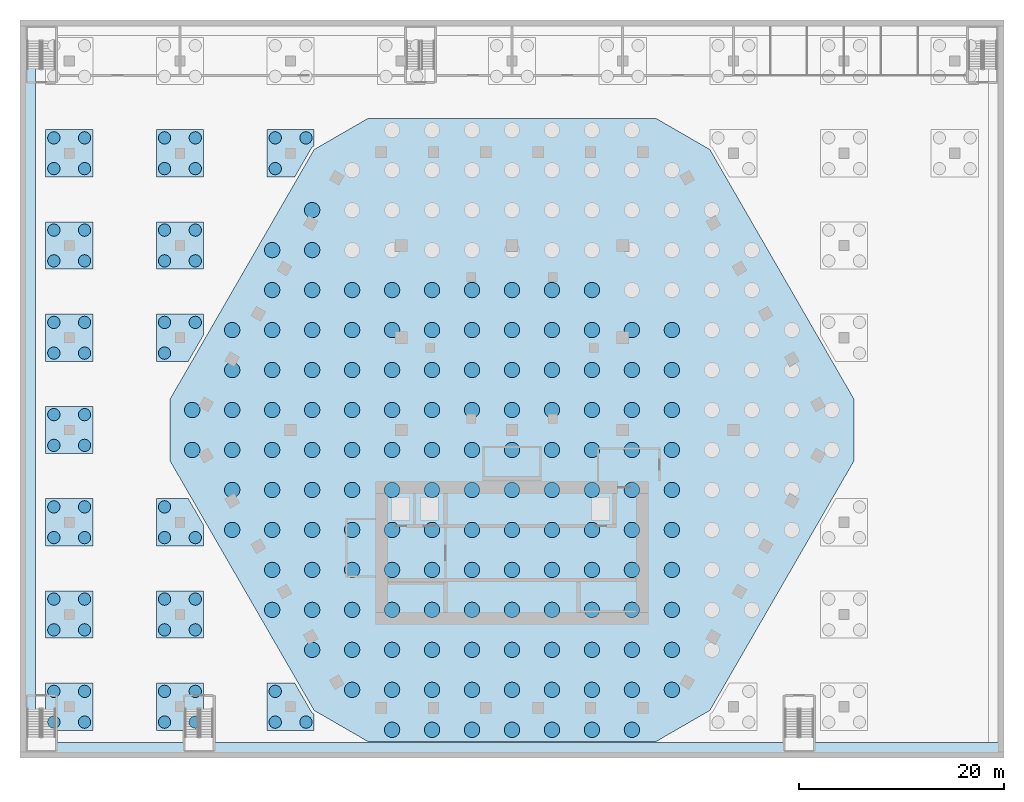
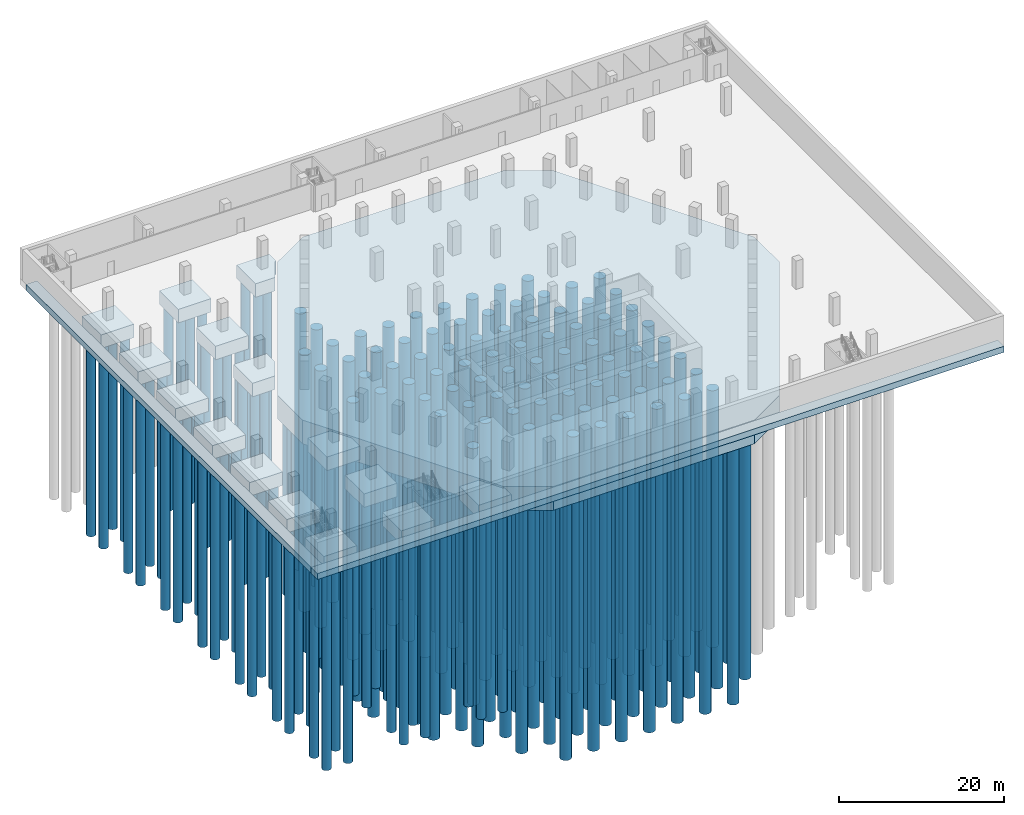
# One storey, part 1 of 21: 190 piles, 18 footings.
"""IFC4 building model written with IfcOpenShell, lengths in metres."""

from ifc_helpers import new_model, si_unit, direction, frame, origin, origin_2d, place, context, subcontext, project, spatial, polyline, circle, outline, extrude, material, material_profile, profile_set, type_object, element, save


model = new_model("IFC4")

# Units and contexts
model_context = context("Model", 3, precision=1e-05, world=origin(), true_north=direction((0.0, 1.0)))
body_context = subcontext(model_context, "Body", "Model", "MODEL_VIEW")
ifc_project = project(units=[si_unit("LENGTHUNIT", "METRE"), si_unit("AREAUNIT", "SQUARE_METRE"), si_unit("VOLUMEUNIT", "CUBIC_METRE"), si_unit("PLANEANGLEUNIT", "RADIAN"), si_unit("MASSUNIT", "GRAM", prefix="KILO")], contexts=[model_context])

# Site, building, storey
site_placement = place(None, origin())
site = spatial("IfcSite", under=ifc_project, at=site_placement, CompositionType="ELEMENT")
building_placement = place(site_placement, origin())
building = spatial("IfcBuilding", under=site, at=building_placement, Name="Beryl Residences", CompositionType="ELEMENT")
storey_placement = place(building_placement, frame((0.0, 0.0, -8.39990234375)))
storey = spatial("IfcBuildingStorey", under=building, at=storey_placement, Name="B2", CompositionType="ELEMENT", Elevation=-8.39990234375)

# Piles
ifc_material_1 = material(Name="Concrete C40/50", Category="concrete")
ifc_material_profile_1 = material_profile(ifc_material_1, circle(Radius=0.75, at=origin_2d()))
ifc_profile_set_1 = profile_set([ifc_material_profile_1], Name="Concrete C40/50")
pile_type_1 = type_object("IfcPileType", Name="BP1 bored pile 1500 mm C40/50", PredefinedType="BORED", material=ifc_profile_set_1)
for number, where, z_axis, x_axis, name in (
    (1, (-11.699951171875, -29.25, -3.85009765625), (0.0, 0.0, -1.0), (1.0, 0.0, 0.0), "BP1 pile R001"),
    (2, (-7.800048828125, -29.25, -3.85009765625), (0.0, 0.0, -1.0), (1.0, 0.0, 0.0), "BP1 pile R002"),
    (3, (-3.89990234375, -29.25, -3.85009765625), (0.0, 0.0, -1.0), (1.0, 0.0, 0.0), "BP1 pile R003"),
    (4, (0.0, -29.25, -3.85009765625), (0.0, 0.0, -1.0), (1.0, 0.0, 0.0), "BP1 pile R004"),
    (5, (3.89990234375, -29.25, -3.85009765625), (0.0, 0.0, -1.0), (1.0, 0.0, 0.0), "BP1 pile R005"),
    (6, (7.800048828125, -29.25, -3.85009765625), (0.0, 0.0, -1.0), (1.0, 0.0, 0.0), "BP1 pile R006"),
    (7, (11.699951171875, -29.25, -3.85009765625), (0.0, 0.0, -1.0), (1.0, 0.0, 0.0), "BP1 pile R007"),
    (8, (-15.60009765625, -25.35009765625, -3.85009765625), (0.0, 0.0, -1.0), (1.0, 0.0, 0.0), "BP1 pile R008"),
    (9, (-11.699951171875, -25.35009765625, -3.85009765625), (0.0, 0.0, -1.0), (1.0, 0.0, 0.0), "BP1 pile R009"),
    (10, (-7.800048828125, -25.35009765625, -3.85009765625), (0.0, 0.0, -1.0), (1.0, 0.0, 0.0), "BP1 pile R010"),
    (11, (-3.89990234375, -25.35009765625, -3.85009765625), (0.0, 0.0, -1.0), (1.0, 0.0, 0.0), "BP1 pile R011"),
    (12, (0.0, -25.35009765625, -3.85009765625), (0.0, 0.0, -1.0), (1.0, 0.0, 0.0), "BP1 pile R012"),
    (13, (3.89990234375, -25.35009765625, -3.85009765625), (0.0, 0.0, -1.0), (1.0, 0.0, 0.0), "BP1 pile R013"),
    (14, (7.800048828125, -25.35009765625, -3.85009765625), (0.0, 0.0, -1.0), (1.0, 0.0, 0.0), "BP1 pile R014"),
    (15, (11.699951171875, -25.35009765625, -3.85009765625), (0.0, 0.0, -1.0), (1.0, 0.0, 0.0), "BP1 pile R015"),
    (16, (15.60009765625, -25.35009765625, -3.85009765625), (0.0, 0.0, -1.0), (1.0, 0.0, 0.0), "BP1 pile R016"),
    (17, (-19.5, -21.449951171875, -3.85009765625), (0.0, 0.0, -1.0), (1.0, 0.0, 0.0), "BP1 pile R017"),
    (18, (-15.60009765625, -21.449951171875, -3.85009765625), (0.0, 0.0, -1.0), (1.0, 0.0, 0.0), "BP1 pile R018"),
    (19, (-11.699951171875, -21.449951171875, -3.85009765625), (0.0, 0.0, -1.0), (1.0, 0.0, 0.0), "BP1 pile R019"),
    (20, (-7.800048828125, -21.449951171875, -3.85009765625), (0.0, 0.0, -1.0), (1.0, 0.0, 0.0), "BP1 pile R020"),
    (21, (-3.89990234375, -21.449951171875, -3.85009765625), (0.0, 0.0, -1.0), (1.0, 0.0, 0.0), "BP1 pile R021"),
    (22, (0.0, -21.449951171875, -3.85009765625), (0.0, 0.0, -1.0), (1.0, 0.0, 0.0), "BP1 pile R022"),
    (23, (3.89990234375, -21.449951171875, -3.85009765625), (0.0, 0.0, -1.0), (1.0, 0.0, 0.0), "BP1 pile R023"),
    (24, (7.800048828125, -21.449951171875, -3.85009765625), (0.0, 0.0, -1.0), (1.0, 0.0, 0.0), "BP1 pile R024"),
    (25, (11.699951171875, -21.449951171875, -3.85009765625), (0.0, 0.0, -1.0), (1.0, 0.0, 0.0), "BP1 pile R025"),
    (26, (15.60009765625, -21.449951171875, -3.85009765625), (0.0, 0.0, -1.0), (1.0, 0.0, 0.0), "BP1 pile R026"),
    (27, (-23.39990234375, -17.550048828125, -3.85009765625), (0.0, 0.0, -1.0), (1.0, 0.0, 0.0), "BP1 pile R028"),
    (28, (-19.5, -17.550048828125, -3.85009765625), (0.0, 0.0, -1.0), (1.0, 0.0, 0.0), "BP1 pile R029"),
    (29, (-15.60009765625, -17.550048828125, -3.85009765625), (0.0, 0.0, -1.0), (1.0, 0.0, 0.0), "BP1 pile R030"),
    (30, (-11.699951171875, -17.550048828125, -3.85009765625), (0.0, 0.0, -1.0), (1.0, 0.0, 0.0), "BP1 pile R031"),
    (31, (-7.800048828125, -17.550048828125, -3.85009765625), (0.0, 0.0, -1.0), (1.0, 0.0, 0.0), "BP1 pile R032"),
    (32, (-3.89990234375, -17.550048828125, -3.85009765625), (0.0, 0.0, -1.0), (1.0, 0.0, 0.0), "BP1 pile R033"),
    (33, (0.0, -17.550048828125, -3.85009765625), (0.0, 0.0, -1.0), (1.0, 0.0, 0.0), "BP1 pile R034"),
    (34, (3.89990234375, -17.550048828125, -3.85009765625), (0.0, 0.0, -1.0), (1.0, 0.0, 0.0), "BP1 pile R035"),
    (35, (7.800048828125, -17.550048828125, -3.85009765625), (0.0, 0.0, -1.0), (1.0, 0.0, 0.0), "BP1 pile R036"),
    (36, (11.699951171875, -17.550048828125, -3.85009765625), (0.0, 0.0, -1.0), (1.0, 0.0, 0.0), "BP1 pile R037"),
    (37, (15.60009765625, -17.550048828125, -3.85009765625), (0.0, 0.0, -1.0), (1.0, 0.0, 0.0), "BP1 pile R038"),
    (38, (-23.39990234375, -13.64990234375, -3.85009765625), (0.0, 0.0, -1.0), (1.0, 0.0, 0.0), "BP1 pile R041"),
    (39, (-19.5, -13.64990234375, -3.85009765625), (0.0, 0.0, -1.0), (1.0, 0.0, 0.0), "BP1 pile R042"),
    (40, (-15.60009765625, -13.64990234375, -3.85009765625), (0.0, 0.0, -1.0), (1.0, 0.0, 0.0), "BP1 pile R043"),
    (41, (-11.699951171875, -13.64990234375, -3.85009765625), (0.0, 0.0, -1.0), (1.0, 0.0, 0.0), "BP1 pile R044"),
    (42, (-7.800048828125, -13.64990234375, -3.85009765625), (0.0, 0.0, -1.0), (1.0, 0.0, 0.0), "BP1 pile R045"),
    (43, (-3.89990234375, -13.64990234375, -3.85009765625), (0.0, 0.0, -1.0), (1.0, 0.0, 0.0), "BP1 pile R046"),
    (44, (0.0, -13.64990234375, -3.85009765625), (0.0, 0.0, -1.0), (1.0, 0.0, 0.0), "BP1 pile R047"),
    (45, (3.89990234375, -13.64990234375, -3.85009765625), (0.0, 0.0, -1.0), (1.0, 0.0, 0.0), "BP1 pile R048"),
    (46, (7.800048828125, -13.64990234375, -3.85009765625), (0.0, 0.0, -1.0), (1.0, 0.0, 0.0), "BP1 pile R049"),
    (47, (11.699951171875, -13.64990234375, -3.85009765625), (0.0, 0.0, -1.0), (1.0, 0.0, 0.0), "BP1 pile R050"),
    (48, (15.60009765625, -13.64990234375, -3.85009765625), (0.0, 0.0, -1.0), (1.0, 0.0, 0.0), "BP1 pile R051"),
    (49, (-27.300048828125, -9.75, -3.85009765625), (0.0, 0.0, -1.0), (1.0, 0.0, 0.0), "BP1 pile R054"),
    (50, (-23.39990234375, -9.75, -3.85009765625), (0.0, 0.0, -1.0), (1.0, 0.0, 0.0), "BP1 pile R055"),
    (51, (-19.5, -9.75, -3.85009765625), (0.0, 0.0, -1.0), (1.0, 0.0, 0.0), "BP1 pile R056"),
    (52, (-15.60009765625, -9.75, -3.85009765625), (0.0, 0.0, -1.0), (1.0, 0.0, 0.0), "BP1 pile R057"),
    (53, (-11.699951171875, -9.75, -3.85009765625), (0.0, 0.0, -1.0), (1.0, 0.0, 0.0), "BP1 pile R058"),
    (54, (-7.800048828125, -9.75, -3.85009765625), (0.0, 0.0, -1.0), (1.0, 0.0, 0.0), "BP1 pile R059"),
    (55, (-3.89990234375, -9.75, -3.85009765625), (0.0, 0.0, -1.0), (1.0, 0.0, 0.0), "BP1 pile R060"),
    (56, (0.0, -9.75, -3.85009765625), (0.0, 0.0, -1.0), (1.0, 0.0, 0.0), "BP1 pile R061"),
    (57, (3.89990234375, -9.75, -3.85009765625), (0.0, 0.0, -1.0), (1.0, 0.0, 0.0), "BP1 pile R062"),
    (58, (7.800048828125, -9.75, -3.85009765625), (0.0, 0.0, -1.0), (1.0, 0.0, 0.0), "BP1 pile R063"),
    (59, (11.699951171875, -9.75, -3.85009765625), (0.0, 0.0, -1.0), (1.0, 0.0, 0.0), "BP1 pile R064"),
    (60, (15.60009765625, -9.75, -3.85009765625), (0.0, 0.0, -1.0), (1.0, 0.0, 0.0), "BP1 pile R065"),
    (61, (-27.300048828125, -5.85009765625, -3.85009765625), (0.0, 0.0, -1.0), (1.0, 0.0, 0.0), "BP1 pile R069"),
    (62, (-23.39990234375, -5.85009765625, -3.85009765625), (0.0, 0.0, -1.0), (1.0, 0.0, 0.0), "BP1 pile R070"),
    (63, (-19.5, -5.85009765625, -3.85009765625), (0.0, 0.0, -1.0), (1.0, 0.0, 0.0), "BP1 pile R071"),
    (64, (-15.60009765625, -5.85009765625, -3.85009765625), (0.0, 0.0, -1.0), (1.0, 0.0, 0.0), "BP1 pile R072"),
    (65, (-11.699951171875, -5.85009765625, -3.85009765625), (0.0, 0.0, -1.0), (1.0, 0.0, 0.0), "BP1 pile R073"),
    (66, (-7.800048828125, -5.85009765625, -3.85009765625), (0.0, 0.0, -1.0), (1.0, 0.0, 0.0), "BP1 pile R074"),
    (67, (-3.89990234375, -5.85009765625, -3.85009765625), (0.0, 0.0, -1.0), (1.0, 0.0, 0.0), "BP1 pile R075"),
    (68, (0.0, -5.85009765625, -3.85009765625), (0.0, 0.0, -1.0), (1.0, 0.0, 0.0), "BP1 pile R076"),
    (69, (3.89990234375, -5.85009765625, -3.85009765625), (0.0, 0.0, -1.0), (1.0, 0.0, 0.0), "BP1 pile R077"),
    (70, (7.800048828125, -5.85009765625, -3.85009765625), (0.0, 0.0, -1.0), (1.0, 0.0, 0.0), "BP1 pile R078"),
    (71, (11.699951171875, -5.85009765625, -3.85009765625), (0.0, 0.0, -1.0), (1.0, 0.0, 0.0), "BP1 pile R079"),
    (72, (15.60009765625, -5.85009765625, -3.85009765625), (0.0, 0.0, -1.0), (1.0, 0.0, 0.0), "BP1 pile R080"),
    (73, (-31.199951171875, -1.949951171875, -3.85009765625), (0.0, 0.0, -1.0), (1.0, 0.0, 0.0), "BP1 pile R084"),
    (74, (-27.300048828125, -1.949951171875, -3.85009765625), (0.0, 0.0, -1.0), (1.0, 0.0, 0.0), "BP1 pile R085"),
    (75, (-23.39990234375, -1.949951171875, -3.85009765625), (0.0, 0.0, -1.0), (1.0, 0.0, 0.0), "BP1 pile R086"),
    (76, (-19.5, -1.949951171875, -3.85009765625), (0.0, 0.0, -1.0), (1.0, 0.0, 0.0), "BP1 pile R087"),
    (77, (-15.60009765625, -1.949951171875, -3.85009765625), (0.0, 0.0, -1.0), (1.0, 0.0, 0.0), "BP1 pile R088"),
    (78, (-11.699951171875, -1.949951171875, -3.85009765625), (0.0, 0.0, -1.0), (1.0, 0.0, 0.0), "BP1 pile R089"),
    (79, (-7.800048828125, -1.949951171875, -3.85009765625), (0.0, 0.0, -1.0), (1.0, 0.0, 0.0), "BP1 pile R090"),
    (80, (-3.89990234375, -1.949951171875, -3.85009765625), (0.0, 0.0, -1.0), (1.0, 0.0, 0.0), "BP1 pile R091"),
    (81, (0.0, -1.949951171875, -3.85009765625), (0.0, 0.0, -1.0), (1.0, 0.0, 0.0), "BP1 pile R092"),
    (82, (3.89990234375, -1.949951171875, -3.85009765625), (0.0, 0.0, -1.0), (1.0, 0.0, 0.0), "BP1 pile R093"),
    (83, (7.800048828125, -1.949951171875, -3.85009765625), (0.0, 0.0, -1.0), (1.0, 0.0, 0.0), "BP1 pile R094"),
    (84, (11.699951171875, -1.949951171875, -3.85009765625), (0.0, 0.0, -1.0), (1.0, 0.0, 0.0), "BP1 pile R095"),
    (85, (15.60009765625, -1.949951171875, -3.85009765625), (0.0, 0.0, -1.0), (1.0, 0.0, 0.0), "BP1 pile R096"),
    (86, (-31.199951171875, 1.949951171875, -3.85009765625), (0.0, 0.0, -1.0), (1.0, 0.0, 0.0), "BP1 pile R101"),
    (87, (-27.300048828125, 1.949951171875, -3.85009765625), (0.0, 0.0, -1.0), (1.0, 0.0, 0.0), "BP1 pile R102"),
    (88, (-23.39990234375, 1.949951171875, -3.85009765625), (0.0, 0.0, -1.0), (1.0, 0.0, 0.0), "BP1 pile R103"),
    (89, (-19.5, 1.949951171875, -3.85009765625), (0.0, 0.0, -1.0), (1.0, 0.0, 0.0), "BP1 pile R104"),
    (90, (-15.60009765625, 1.949951171875, -3.85009765625), (0.0, 0.0, -1.0), (1.0, 0.0, 0.0), "BP1 pile R105"),
    (91, (-11.699951171875, 1.949951171875, -3.85009765625), (0.0, 0.0, -1.0), (1.0, 0.0, 0.0), "BP1 pile R106"),
    (92, (-7.800048828125, 1.949951171875, -3.85009765625), (0.0, 0.0, -1.0), (1.0, 0.0, 0.0), "BP1 pile R107"),
    (93, (-3.89990234375, 1.949951171875, -3.85009765625), (0.0, 0.0, -1.0), (1.0, 0.0, 0.0), "BP1 pile R108"),
    (94, (0.0, 1.949951171875, -3.85009765625), (0.0, 0.0, -1.0), (1.0, 0.0, 0.0), "BP1 pile R109"),
    (95, (3.89990234375, 1.949951171875, -3.85009765625), (0.0, 0.0, -1.0), (1.0, 0.0, 0.0), "BP1 pile R110"),
    (96, (7.800048828125, 1.949951171875, -3.85009765625), (0.0, 0.0, -1.0), (1.0, 0.0, 0.0), "BP1 pile R111"),
    (97, (11.699951171875, 1.949951171875, -3.85009765625), (0.0, 0.0, -1.0), (1.0, 0.0, 0.0), "BP1 pile R112"),
    (98, (15.60009765625, 1.949951171875, -3.85009765625), (0.0, 0.0, -1.0), (1.0, 0.0, 0.0), "BP1 pile R113"),
    (99, (-27.300048828125, 5.85009765625, -3.85009765625), (0.0, 0.0, -1.0), (1.0, 0.0, 0.0), "BP1 pile R118"),
    (100, (-23.39990234375, 5.85009765625, -3.85009765625), (0.0, 0.0, -1.0), (1.0, 0.0, 0.0), "BP1 pile R119"),
    (101, (-19.5, 5.85009765625, -3.85009765625), (0.0, 0.0, -1.0), (1.0, 0.0, 0.0), "BP1 pile R120"),
    (102, (-15.60009765625, 5.85009765625, -3.85009765625), (0.0, 0.0, -1.0), (1.0, 0.0, 0.0), "BP1 pile R121"),
    (103, (-11.699951171875, 5.85009765625, -3.85009765625), (0.0, 0.0, -1.0), (1.0, 0.0, 0.0), "BP1 pile R122"),
    (104, (-7.800048828125, 5.85009765625, -3.85009765625), (0.0, 0.0, -1.0), (1.0, 0.0, 0.0), "BP1 pile R123"),
    (105, (-3.89990234375, 5.85009765625, -3.85009765625), (0.0, 0.0, -1.0), (1.0, 0.0, 0.0), "BP1 pile R124"),
    (106, (0.0, 5.85009765625, -3.85009765625), (0.0, 0.0, -1.0), (1.0, 0.0, 0.0), "BP1 pile R125"),
    (107, (3.89990234375, 5.85009765625, -3.85009765625), (0.0, 0.0, -1.0), (1.0, 0.0, 0.0), "BP1 pile R126"),
    (108, (7.800048828125, 5.85009765625, -3.85009765625), (0.0, 0.0, -1.0), (1.0, 0.0, 0.0), "BP1 pile R127"),
    (109, (11.699951171875, 5.85009765625, -3.85009765625), (0.0, 0.0, -1.0), (1.0, 0.0, 0.0), "BP1 pile R128"),
    (110, (15.60009765625, 5.85009765625, -3.85009765625), (0.0, 0.0, -1.0), (1.0, 0.0, 0.0), "BP1 pile R129"),
    (111, (-27.300048828125, 9.75, -3.85009765625), (0.0, 0.0, -1.0), (1.0, 0.0, 0.0), "BP1 pile R133"),
    (112, (-23.39990234375, 9.75, -3.85009765625), (0.0, 0.0, -1.0), (1.0, 0.0, 0.0), "BP1 pile R134"),
    (113, (-19.5, 9.75, -3.85009765625), (0.0, 0.0, -1.0), (1.0, 0.0, 0.0), "BP1 pile R135"),
    (114, (-15.60009765625, 9.75, -3.85009765625), (0.0, 0.0, -1.0), (1.0, 0.0, 0.0), "BP1 pile R136"),
    (115, (-11.699951171875, 9.75, -3.85009765625), (0.0, 0.0, -1.0), (1.0, 0.0, 0.0), "BP1 pile R137"),
    (116, (-7.800048828125, 9.75, -3.85009765625), (0.0, 0.0, -1.0), (1.0, 0.0, 0.0), "BP1 pile R138"),
    (117, (-3.89990234375, 9.75, -3.85009765625), (0.0, 0.0, -1.0), (1.0, 0.0, 0.0), "BP1 pile R139"),
    (118, (0.0, 9.75, -3.85009765625), (0.0, 0.0, -1.0), (1.0, 0.0, 0.0), "BP1 pile R140"),
    (119, (3.89990234375, 9.75, -3.85009765625), (0.0, 0.0, -1.0), (1.0, 0.0, 0.0), "BP1 pile R141"),
    (120, (7.800048828125, 9.75, -3.85009765625), (0.0, 0.0, -1.0), (1.0, 0.0, 0.0), "BP1 pile R142"),
    (121, (11.699951171875, 9.75, -3.85009765625), (0.0, 0.0, -1.0), (1.0, 0.0, 0.0), "BP1 pile R143"),
    (122, (15.60009765625, 9.75, -3.85009765625), (0.0, 0.0, -1.0), (1.0, 0.0, 0.0), "BP1 pile R144"),
    (123, (-23.39990234375, 13.64990234375, -3.85009765625), (0.0, 0.0, -1.0), (1.0, 0.0, 0.0), "BP1 pile R148"),
    (124, (-19.5, 13.64990234375, -3.85009765625), (0.0, 0.0, -1.0), (1.0, 0.0, 0.0), "BP1 pile R149"),
    (125, (-15.60009765625, 13.64990234375, -3.85009765625), (0.0, 0.0, -1.0), (1.0, 0.0, 0.0), "BP1 pile R150"),
    (126, (-11.699951171875, 13.64990234375, -3.85009765625), (0.0, 0.0, -1.0), (1.0, 0.0, 0.0), "BP1 pile R151"),
    (127, (-7.800048828125, 13.64990234375, -3.85009765625), (0.0, 0.0, -1.0), (1.0, 0.0, 0.0), "BP1 pile R152"),
    (128, (-3.89990234375, 13.64990234375, -3.85009765625), (0.0, 0.0, -1.0), (1.0, 0.0, 0.0), "BP1 pile R153"),
    (129, (0.0, 13.64990234375, -3.85009765625), (0.0, 0.0, -1.0), (1.0, 0.0, 0.0), "BP1 pile R154"),
    (130, (3.89990234375, 13.64990234375, -3.85009765625), (0.0, 0.0, -1.0), (1.0, 0.0, 0.0), "BP1 pile R155"),
    (131, (7.800048828125, 13.64990234375, -3.85009765625), (0.0, 0.0, -1.0), (1.0, 0.0, 0.0), "BP1 pile R156"),
    (132, (-23.39990234375, 17.550048828125, -3.85009765625), (0.0, 0.0, -1.0), (1.0, 0.0, 0.0), "BP1 pile R161"),
    (133, (-19.5, 17.550048828125, -3.85009765625), (0.0, 0.0, -1.0), (1.0, 0.0, 0.0), "BP1 pile R162"),
    (134, (-19.5, 21.449951171875, -3.85009765625), (0.0, 0.0, -1.0), (1.0, 0.0, 0.0), "BP1 pile R174"),
):
    element("IfcPile", number, at=place(storey_placement, frame(where, z_axis=z_axis, x_axis=x_axis)), inside=storey, type_object=pile_type_1, Name=name, PredefinedType="BORED", context=body_context, shape_type="SweptSolid", body=[
        extrude(circle(Radius=0.75, at=origin_2d()), origin(), (0.0, 0.0, 1.0), 38.0),
    ])
ifc_material_2 = material(Name="Concrete C40/50", Category="concrete")
ifc_material_profile_2 = material_profile(ifc_material_2, circle(Radius=0.60009765625, at=origin_2d()))
ifc_profile_set_2 = profile_set([ifc_material_profile_2], Name="Concrete C40/50")
pile_type_2 = type_object("IfcPileType", Name="BP2 bored pile 1200 mm C40/50", PredefinedType="BORED", material=ifc_profile_set_2)
for number, where, z_axis, x_axis, name in (
    (135, (-44.699951171875, -28.5, -2.35009765625), (0.0, 0.0, -1.0), (1.0, 0.0, 0.0), "BP2 pile PG-1A-1"),
    (136, (-44.699951171875, -25.5, -2.35009765625), (0.0, 0.0, -1.0), (1.0, 0.0, 0.0), "BP2 pile PG-1A-2"),
    (137, (-41.699951171875, -28.5, -2.35009765625), (0.0, 0.0, -1.0), (1.0, 0.0, 0.0), "BP2 pile PG-1A-3"),
    (138, (-41.699951171875, -25.5, -2.35009765625), (0.0, 0.0, -1.0), (1.0, 0.0, 0.0), "BP2 pile PG-1A-4"),
    (139, (-44.699951171875, -19.5, -2.35009765625), (0.0, 0.0, -1.0), (1.0, 0.0, 0.0), "BP2 pile PG-1B-1"),
    (140, (-44.699951171875, -16.5, -2.35009765625), (0.0, 0.0, -1.0), (1.0, 0.0, 0.0), "BP2 pile PG-1B-2"),
    (141, (-41.699951171875, -19.5, -2.35009765625), (0.0, 0.0, -1.0), (1.0, 0.0, 0.0), "BP2 pile PG-1B-3"),
    (142, (-41.699951171875, -16.5, -2.35009765625), (0.0, 0.0, -1.0), (1.0, 0.0, 0.0), "BP2 pile PG-1B-4"),
    (143, (-44.699951171875, -10.5, -2.35009765625), (0.0, 0.0, -1.0), (1.0, 0.0, 0.0), "BP2 pile PG-1C-1"),
    (144, (-44.699951171875, -7.5, -2.35009765625), (0.0, 0.0, -1.0), (1.0, 0.0, 0.0), "BP2 pile PG-1C-2"),
    (145, (-41.699951171875, -10.5, -2.35009765625), (0.0, 0.0, -1.0), (1.0, 0.0, 0.0), "BP2 pile PG-1C-3"),
    (146, (-41.699951171875, -7.5, -2.35009765625), (0.0, 0.0, -1.0), (1.0, 0.0, 0.0), "BP2 pile PG-1C-4"),
    (147, (-44.699951171875, -1.5, -2.35009765625), (0.0, 0.0, -1.0), (1.0, 0.0, 0.0), "BP2 pile PG-1D-1"),
    (148, (-44.699951171875, 1.5, -2.35009765625), (0.0, 0.0, -1.0), (1.0, 0.0, 0.0), "BP2 pile PG-1D-2"),
    (149, (-41.699951171875, -1.5, -2.35009765625), (0.0, 0.0, -1.0), (1.0, 0.0, 0.0), "BP2 pile PG-1D-3"),
    (150, (-41.699951171875, 1.5, -2.35009765625), (0.0, 0.0, -1.0), (1.0, 0.0, 0.0), "BP2 pile PG-1D-4"),
    (151, (-44.699951171875, 7.5, -2.35009765625), (0.0, 0.0, -1.0), (1.0, 0.0, 0.0), "BP2 pile PG-1E-1"),
    (152, (-44.699951171875, 10.5, -2.35009765625), (0.0, 0.0, -1.0), (1.0, 0.0, 0.0), "BP2 pile PG-1E-2"),
    (153, (-41.699951171875, 7.5, -2.35009765625), (0.0, 0.0, -1.0), (1.0, 0.0, 0.0), "BP2 pile PG-1E-3"),
    (154, (-41.699951171875, 10.5, -2.35009765625), (0.0, 0.0, -1.0), (1.0, 0.0, 0.0), "BP2 pile PG-1E-4"),
    (155, (-44.699951171875, 16.5, -2.35009765625), (0.0, 0.0, -1.0), (1.0, 0.0, 0.0), "BP2 pile PG-1F-1"),
    (156, (-44.699951171875, 19.5, -2.35009765625), (0.0, 0.0, -1.0), (1.0, 0.0, 0.0), "BP2 pile PG-1F-2"),
    (157, (-41.699951171875, 16.5, -2.35009765625), (0.0, 0.0, -1.0), (1.0, 0.0, 0.0), "BP2 pile PG-1F-3"),
    (158, (-41.699951171875, 19.5, -2.35009765625), (0.0, 0.0, -1.0), (1.0, 0.0, 0.0), "BP2 pile PG-1F-4"),
    (159, (-44.699951171875, 25.5, -2.35009765625), (0.0, 0.0, -1.0), (1.0, 0.0, 0.0), "BP2 pile PG-1G-1"),
    (160, (-44.699951171875, 28.5, -2.35009765625), (0.0, 0.0, -1.0), (1.0, 0.0, 0.0), "BP2 pile PG-1G-2"),
    (161, (-41.699951171875, 25.5, -2.35009765625), (0.0, 0.0, -1.0), (1.0, 0.0, 0.0), "BP2 pile PG-1G-3"),
    (162, (-41.699951171875, 28.5, -2.35009765625), (0.0, 0.0, -1.0), (1.0, 0.0, 0.0), "BP2 pile PG-1G-4"),
    (163, (-33.89990234375, -28.5, -2.35009765625), (0.0, 0.0, -1.0), (1.0, 0.0, 0.0), "BP2 pile PG-2A-1"),
    (164, (-33.89990234375, -25.5, -2.35009765625), (0.0, 0.0, -1.0), (1.0, 0.0, 0.0), "BP2 pile PG-2A-2"),
    (165, (-30.89990234375, -28.5, -2.35009765625), (0.0, 0.0, -1.0), (1.0, 0.0, 0.0), "BP2 pile PG-2A-3"),
    (166, (-30.89990234375, -25.5, -2.35009765625), (0.0, 0.0, -1.0), (1.0, 0.0, 0.0), "BP2 pile PG-2A-4"),
    (167, (-33.89990234375, -19.5, -2.35009765625), (0.0, 0.0, -1.0), (1.0, 0.0, 0.0), "BP2 pile PG-2B-1"),
    (168, (-33.89990234375, -16.5, -2.35009765625), (0.0, 0.0, -1.0), (1.0, 0.0, 0.0), "BP2 pile PG-2B-2"),
    (169, (-30.89990234375, -19.5, -2.35009765625), (0.0, 0.0, -1.0), (1.0, 0.0, 0.0), "BP2 pile PG-2B-3"),
    (170, (-30.89990234375, -16.5, -2.35009765625), (0.0, 0.0, -1.0), (1.0, 0.0, 0.0), "BP2 pile PG-2B-4"),
    (171, (-33.89990234375, -10.5, -2.35009765625), (0.0, 0.0, -1.0), (1.0, 0.0, 0.0), "BP2 pile PG-2C-1"),
    (172, (-33.89990234375, -7.5, -2.35009765625), (0.0, 0.0, -1.0), (1.0, 0.0, 0.0), "BP2 pile PG-2C-2"),
    (173, (-30.89990234375, -10.5, -2.35009765625), (0.0, 0.0, -1.0), (1.0, 0.0, 0.0), "BP2 pile PG-2C-3"),
    (174, (-33.89990234375, 7.5, -2.35009765625), (0.0, 0.0, -1.0), (1.0, 0.0, 0.0), "BP2 pile PG-2E-1"),
    (175, (-33.89990234375, 10.5, -2.35009765625), (0.0, 0.0, -1.0), (1.0, 0.0, 0.0), "BP2 pile PG-2E-2"),
    (176, (-30.89990234375, 10.5, -2.35009765625), (0.0, 0.0, -1.0), (1.0, 0.0, 0.0), "BP2 pile PG-2E-3"),
    (177, (-33.89990234375, 16.5, -2.35009765625), (0.0, 0.0, -1.0), (1.0, 0.0, 0.0), "BP2 pile PG-2F-1"),
    (178, (-33.89990234375, 19.5, -2.35009765625), (0.0, 0.0, -1.0), (1.0, 0.0, 0.0), "BP2 pile PG-2F-2"),
    (179, (-30.89990234375, 16.5, -2.35009765625), (0.0, 0.0, -1.0), (1.0, 0.0, 0.0), "BP2 pile PG-2F-3"),
    (180, (-30.89990234375, 19.5, -2.35009765625), (0.0, 0.0, -1.0), (1.0, 0.0, 0.0), "BP2 pile PG-2F-4"),
    (181, (-33.89990234375, 25.5, -2.35009765625), (0.0, 0.0, -1.0), (1.0, 0.0, 0.0), "BP2 pile PG-2G-1"),
    (182, (-33.89990234375, 28.5, -2.35009765625), (0.0, 0.0, -1.0), (1.0, 0.0, 0.0), "BP2 pile PG-2G-2"),
    (183, (-30.89990234375, 25.5, -2.35009765625), (0.0, 0.0, -1.0), (1.0, 0.0, 0.0), "BP2 pile PG-2G-3"),
    (184, (-30.89990234375, 28.5, -2.35009765625), (0.0, 0.0, -1.0), (1.0, 0.0, 0.0), "BP2 pile PG-2G-4"),
    (185, (-23.10009765625, -28.5, -2.35009765625), (0.0, 0.0, -1.0), (1.0, 0.0, 0.0), "BP2 pile PG-3A-1"),
    (186, (-23.10009765625, -25.5, -2.35009765625), (0.0, 0.0, -1.0), (1.0, 0.0, 0.0), "BP2 pile PG-3A-2"),
    (187, (-20.10009765625, -28.5, -2.35009765625), (0.0, 0.0, -1.0), (1.0, 0.0, 0.0), "BP2 pile PG-3A-3"),
    (188, (-23.10009765625, 25.5, -2.35009765625), (0.0, 0.0, -1.0), (1.0, 0.0, 0.0), "BP2 pile PG-3G-1"),
    (189, (-23.10009765625, 28.5, -2.35009765625), (0.0, 0.0, -1.0), (1.0, 0.0, 0.0), "BP2 pile PG-3G-2"),
    (190, (-20.10009765625, 28.5, -2.35009765625), (0.0, 0.0, -1.0), (1.0, 0.0, 0.0), "BP2 pile PG-3G-3"),
):
    element("IfcPile", number, at=place(storey_placement, frame(where, z_axis=z_axis, x_axis=x_axis)), inside=storey, type_object=pile_type_2, Name=name, PredefinedType="BORED", context=body_context, shape_type="SweptSolid", body=[
        extrude(circle(Radius=0.60009765625, at=origin_2d()), origin(), (0.0, 0.0, 1.0), 30.0),
    ])

# Footings
ifc_material_3 = material(Name="Concrete C50/60", Category="concrete")
footing_type_1 = type_object("IfcFootingType", Name="F1 piled raft 3500 mm C50/60", PredefinedType="PILE_CAP", material=ifc_material_3)
footing_1_placement = place(storey_placement, frame((0.0, 0.0, -3.85009765625)))
element("IfcFooting", 191, at=footing_1_placement, inside=storey, type_object=footing_type_1, Name="F1 piled raft", PredefinedType="PILE_CAP", context=body_context, shape_type="SweptSolid", body=[
    extrude(outline(polyline([(14.0458984375, 30.39990234375), (-14.0458984375, 30.39990234375), (-19.303955078125, 27.364013671875), (-33.35009765625, 3.035888671875), (-33.35009765625, -3.035888671875), (-19.303955078125, -27.364013671875), (-14.0458984375, -30.39990234375), (14.0458984375, -30.39990234375), (19.303955078125, -27.364013671875), (33.35009765625, -3.035888671875), (33.35009765625, 3.035888671875), (19.303955078125, 27.364013671875), (14.0458984375, 30.39990234375)])), origin(), (0.0, 0.0, 1.0), 3.5),
])
ifc_material_4 = material(Name="Concrete C50/60", Category="concrete")
footing_type_2 = type_object("IfcFootingType", Name="F2 pile cap 2000 mm C50/60", PredefinedType="PILE_CAP", material=ifc_material_4)
footing_2_placement = place(storey_placement, frame((0.0, 0.0, -2.35009765625)))
element("IfcFooting", 192, at=footing_2_placement, inside=storey, type_object=footing_type_2, Name="F2 pile cap PG-1A", PredefinedType="PILE_CAP", context=body_context, shape_type="SweptSolid", body=[
    extrude(outline(polyline([(-45.5, -29.300048828125), (-45.5, -24.699951171875), (-40.89990234375, -24.699951171875), (-40.89990234375, -29.300048828125), (-45.5, -29.300048828125)])), origin(), (0.0, 0.0, 1.0), 2.0),
])
footing_3_placement = place(storey_placement, frame((0.0, 0.0, -2.35009765625)))
element("IfcFooting", 193, at=footing_3_placement, inside=storey, type_object=footing_type_2, Name="F2 pile cap PG-1B", PredefinedType="PILE_CAP", context=body_context, shape_type="SweptSolid", body=[
    extrude(outline(polyline([(-45.5, -20.300048828125), (-45.5, -15.699951171875), (-40.89990234375, -15.699951171875), (-40.89990234375, -20.300048828125), (-45.5, -20.300048828125)])), origin(), (0.0, 0.0, 1.0), 2.0),
])
footing_4_placement = place(storey_placement, frame((0.0, 0.0, -2.35009765625)))
element("IfcFooting", 194, at=footing_4_placement, inside=storey, type_object=footing_type_2, Name="F2 pile cap PG-1C", PredefinedType="PILE_CAP", context=body_context, shape_type="SweptSolid", body=[
    extrude(outline(polyline([(-45.5, -11.300048828125), (-45.5, -6.699951171875), (-40.89990234375, -6.699951171875), (-40.89990234375, -11.300048828125), (-45.5, -11.300048828125)])), origin(), (0.0, 0.0, 1.0), 2.0),
])
footing_5_placement = place(storey_placement, frame((0.0, 0.0, -2.35009765625)))
element("IfcFooting", 195, at=footing_5_placement, inside=storey, type_object=footing_type_2, Name="F2 pile cap PG-1D", PredefinedType="PILE_CAP", context=body_context, shape_type="SweptSolid", body=[
    extrude(outline(polyline([(-45.5, -2.300048828125), (-45.5, 2.300048828125), (-40.89990234375, 2.300048828125), (-40.89990234375, -2.300048828125), (-45.5, -2.300048828125)])), origin(), (0.0, 0.0, 1.0), 2.0),
])
footing_6_placement = place(storey_placement, frame((0.0, 0.0, -2.35009765625)))
element("IfcFooting", 196, at=footing_6_placement, inside=storey, type_object=footing_type_2, Name="F2 pile cap PG-1E", PredefinedType="PILE_CAP", context=body_context, shape_type="SweptSolid", body=[
    extrude(outline(polyline([(-45.5, 6.699951171875), (-45.5, 11.300048828125), (-40.89990234375, 11.300048828125), (-40.89990234375, 6.699951171875), (-45.5, 6.699951171875)])), origin(), (0.0, 0.0, 1.0), 2.0),
])
footing_7_placement = place(storey_placement, frame((0.0, 0.0, -2.35009765625)))
element("IfcFooting", 197, at=footing_7_placement, inside=storey, type_object=footing_type_2, Name="F2 pile cap PG-1F", PredefinedType="PILE_CAP", context=body_context, shape_type="SweptSolid", body=[
    extrude(outline(polyline([(-45.5, 15.699951171875), (-45.5, 20.300048828125), (-40.89990234375, 20.300048828125), (-40.89990234375, 15.699951171875), (-45.5, 15.699951171875)])), origin(), (0.0, 0.0, 1.0), 2.0),
])
footing_8_placement = place(storey_placement, frame((0.0, 0.0, -2.35009765625)))
element("IfcFooting", 198, at=footing_8_placement, inside=storey, type_object=footing_type_2, Name="F2 pile cap PG-1G", PredefinedType="PILE_CAP", context=body_context, shape_type="SweptSolid", body=[
    extrude(outline(polyline([(-45.5, 24.699951171875), (-45.5, 29.300048828125), (-40.89990234375, 29.300048828125), (-40.89990234375, 24.699951171875), (-45.5, 24.699951171875)])), origin(), (0.0, 0.0, 1.0), 2.0),
])
footing_9_placement = place(storey_placement, frame((0.0, 0.0, -2.35009765625)))
element("IfcFooting", 199, at=footing_9_placement, inside=storey, type_object=footing_type_2, Name="F2 pile cap PG-2A", PredefinedType="PILE_CAP", context=body_context, shape_type="SweptSolid", body=[
    extrude(outline(polyline([(-34.699951171875, -29.300048828125), (-34.699951171875, -24.699951171875), (-30.10009765625, -24.699951171875), (-30.10009765625, -29.300048828125), (-34.699951171875, -29.300048828125)])), origin(), (0.0, 0.0, 1.0), 2.0),
])
footing_10_placement = place(storey_placement, frame((0.0, 0.0, -2.35009765625)))
element("IfcFooting", 200, at=footing_10_placement, inside=storey, type_object=footing_type_2, Name="F2 pile cap PG-2B", PredefinedType="PILE_CAP", context=body_context, shape_type="SweptSolid", body=[
    extrude(outline(polyline([(-34.699951171875, -20.300048828125), (-34.699951171875, -15.699951171875), (-30.10009765625, -15.699951171875), (-30.10009765625, -20.300048828125), (-34.699951171875, -20.300048828125)])), origin(), (0.0, 0.0, 1.0), 2.0),
])
footing_11_placement = place(storey_placement, frame((0.0, 0.0, -2.35009765625)))
element("IfcFooting", 201, at=footing_11_placement, inside=storey, type_object=footing_type_2, Name="F2 pile cap PG-2C", PredefinedType="PILE_CAP", context=body_context, shape_type="SweptSolid", body=[
    extrude(outline(polyline([(-30.10009765625, -11.300048828125), (-34.699951171875, -11.300048828125), (-34.699951171875, -6.699951171875), (-31.5810546875, -6.699951171875), (-30.10009765625, -9.26513671875), (-30.10009765625, -11.300048828125)])), origin(), (0.0, 0.0, 1.0), 2.0),
])
footing_12_placement = place(storey_placement, frame((0.0, 0.0, -2.35009765625)))
element("IfcFooting", 202, at=footing_12_placement, inside=storey, type_object=footing_type_2, Name="F2 pile cap PG-2E", PredefinedType="PILE_CAP", context=body_context, shape_type="SweptSolid", body=[
    extrude(outline(polyline([(-34.699951171875, 6.699951171875), (-34.699951171875, 11.300048828125), (-30.10009765625, 11.300048828125), (-30.10009765625, 9.26513671875), (-31.5810546875, 6.699951171875), (-34.699951171875, 6.699951171875)])), origin(), (0.0, 0.0, 1.0), 2.0),
])
footing_13_placement = place(storey_placement, frame((0.0, 0.0, -2.35009765625)))
element("IfcFooting", 203, at=footing_13_placement, inside=storey, type_object=footing_type_2, Name="F2 pile cap PG-2F", PredefinedType="PILE_CAP", context=body_context, shape_type="SweptSolid", body=[
    extrude(outline(polyline([(-34.699951171875, 15.699951171875), (-34.699951171875, 20.300048828125), (-30.10009765625, 20.300048828125), (-30.10009765625, 15.699951171875), (-34.699951171875, 15.699951171875)])), origin(), (0.0, 0.0, 1.0), 2.0),
])
footing_14_placement = place(storey_placement, frame((0.0, 0.0, -2.35009765625)))
element("IfcFooting", 204, at=footing_14_placement, inside=storey, type_object=footing_type_2, Name="F2 pile cap PG-2G", PredefinedType="PILE_CAP", context=body_context, shape_type="SweptSolid", body=[
    extrude(outline(polyline([(-34.699951171875, 24.699951171875), (-34.699951171875, 29.300048828125), (-30.10009765625, 29.300048828125), (-30.10009765625, 24.699951171875), (-34.699951171875, 24.699951171875)])), origin(), (0.0, 0.0, 1.0), 2.0),
])
footing_15_placement = place(storey_placement, frame((0.0, 0.0, -2.35009765625)))
element("IfcFooting", 205, at=footing_15_placement, inside=storey, type_object=footing_type_2, Name="F2 pile cap PG-3A", PredefinedType="PILE_CAP", context=body_context, shape_type="SweptSolid", body=[
    extrude(outline(polyline([(-19.300048828125, -29.300048828125), (-23.89990234375, -29.300048828125), (-23.89990234375, -24.699951171875), (-21.1884765625, -24.699951171875), (-19.563720703125, -27.513916015625), (-19.546630859375, -27.540283203125), (-19.52685546875, -27.564697265625), (-19.504638671875, -27.5869140625), (-19.480224609375, -27.606689453125), (-19.4541015625, -27.623779296875), (-19.300048828125, -27.712646484375), (-19.300048828125, -29.300048828125)])), origin(), (0.0, 0.0, 1.0), 2.0),
])
footing_16_placement = place(storey_placement, frame((0.0, 0.0, -2.35009765625)))
element("IfcFooting", 206, at=footing_16_placement, inside=storey, type_object=footing_type_2, Name="F2 pile cap PG-3G", PredefinedType="PILE_CAP", context=body_context, shape_type="SweptSolid", body=[
    extrude(outline(polyline([(-23.89990234375, 24.699951171875), (-23.89990234375, 29.300048828125), (-19.300048828125, 29.300048828125), (-19.300048828125, 27.712646484375), (-19.4541015625, 27.623779296875), (-19.480224609375, 27.606689453125), (-19.504638671875, 27.5869140625), (-19.52685546875, 27.564697265625), (-19.546630859375, 27.540283203125), (-19.563720703125, 27.513916015625), (-21.1884765625, 24.699951171875), (-23.89990234375, 24.699951171875)])), origin(), (0.0, 0.0, 1.0), 2.0),
])
ifc_material_5 = material(Name="Concrete C50/60", Category="concrete")
footing_type_3 = type_object("IfcFootingType", Name="F3 retaining wall footing 900 mm C50/60", PredefinedType="STRIP_FOOTING", material=ifc_material_5)
footing_17_placement = place(storey_placement, frame((0.0, 0.0, -1.25)))
element("IfcFooting", 207, at=footing_17_placement, inside=storey, type_object=footing_type_3, Name="F3 retaining wall footing S", PredefinedType="STRIP_FOOTING", context=body_context, shape_type="SweptSolid", body=[
    extrude(outline(polyline([(48.0, -32.0), (48.0, -30.5), (-48.0, -30.5), (-48.0, -32.0), (48.0, -32.0)])), origin(), (0.0, 0.0, 1.0), 0.89990234375),
])
footing_18_placement = place(storey_placement, frame((0.0, 0.0, -1.25)))
element("IfcFooting", 208, at=footing_18_placement, inside=storey, type_object=footing_type_3, Name="F3 retaining wall footing W", PredefinedType="STRIP_FOOTING", context=body_context, shape_type="SweptSolid", body=[
    extrude(outline(polyline([(-46.5, -30.5), (-46.5, 38.5), (-48.0, 38.5), (-48.0, -30.5), (-46.5, -30.5)])), origin(), (0.0, 0.0, 1.0), 0.89990234375),
])

save(model, "model.ifc")
